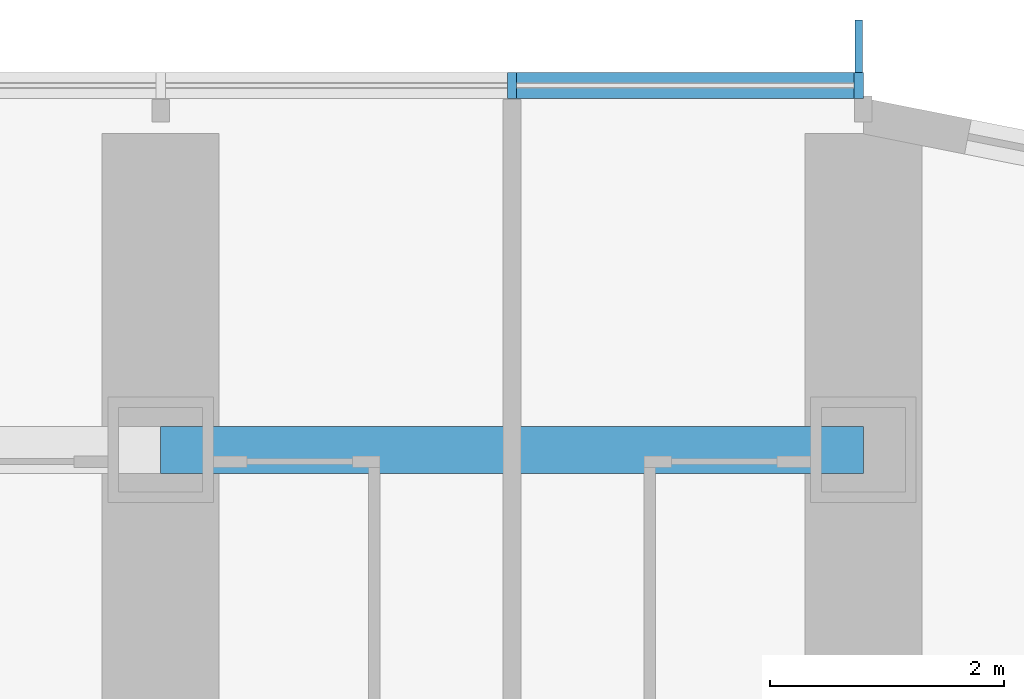
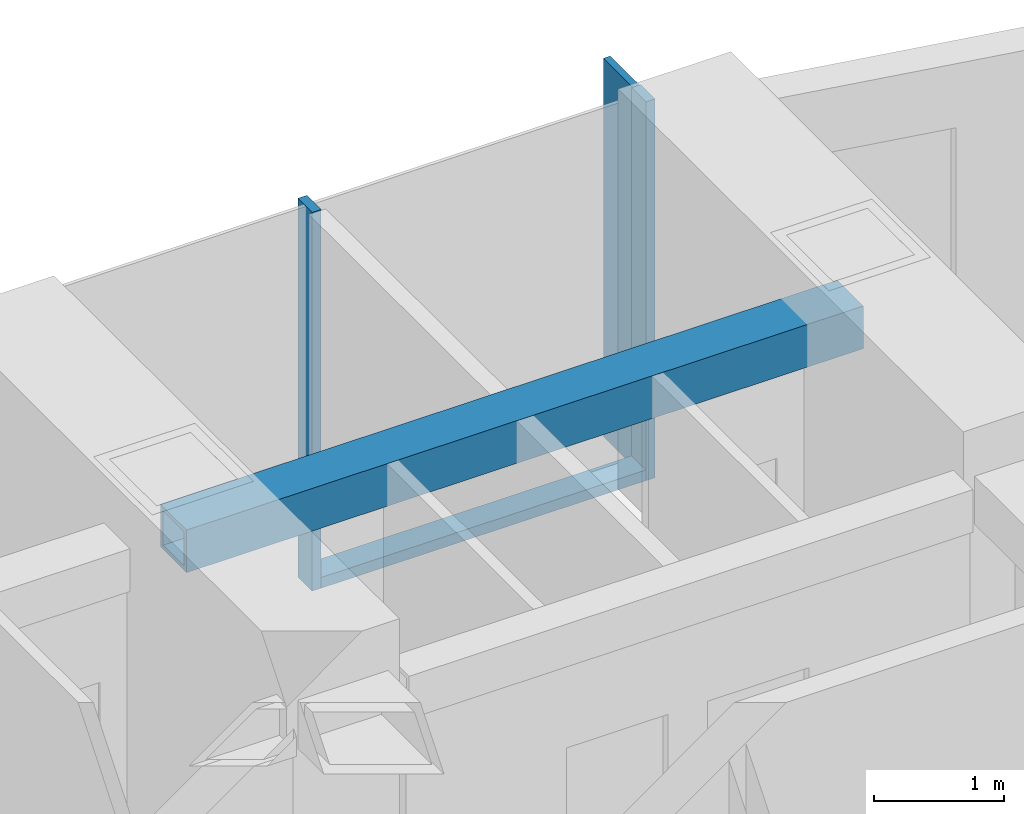
# One storey, part 7 of 24: 4 members, 1 beam, 1 element without a shape of its own.
"""IFC4 building model written with IfcOpenShell, lengths in metres."""

from ifc_helpers import new_model, si_unit, direction, frame, origin, origin_2d, place, context, subcontext, project, spatial, rectangle, hollow_rectangle, extrude, material, material_profile, profile_set, type_object, element, aggregate, save


model = new_model("IFC4")

# Units and contexts
model_context = context("Model", 3, precision=1e-05, world=origin(), true_north=direction((0.0, 1.0)))
body_context = subcontext(model_context, "Body", "Model", "MODEL_VIEW")
ifc_project = project(units=[si_unit("LENGTHUNIT", "METRE"), si_unit("AREAUNIT", "SQUARE_METRE"), si_unit("VOLUMEUNIT", "CUBIC_METRE"), si_unit("PLANEANGLEUNIT", "RADIAN"), si_unit("MASSUNIT", "GRAM", prefix="KILO")], contexts=[model_context])

# Site, building, storey
site_placement = place(None, origin())
site = spatial("IfcSite", under=ifc_project, at=site_placement, CompositionType="ELEMENT")
building_placement = place(site_placement, origin())
building = spatial("IfcBuilding", under=site, at=building_placement, Name="Orbita Commons", CompositionType="ELEMENT")
storey_placement = place(building_placement, frame((0.0, 0.0, 20.199951171875)))
storey = spatial("IfcBuildingStorey", under=building, at=storey_placement, Name="L04", CompositionType="ELEMENT", Elevation=20.199951171875)

# Curtain wall, members
ifc_material_1 = material(Name="Anodised aluminium frame, pale silver", Category="aluminium")
curtain_wall_type = type_object("IfcCurtainWallType", Name="Unitised curtain wall CW-T, vision and spandrel", PredefinedType="NOTDEFINED", material=ifc_material_1)
curtain_wall_placement = place(storey_placement, origin())
curtain_wall = element("IfcCurtainWall", 1, at=curtain_wall_placement, inside=storey, type_object=curtain_wall_type, Name="Curtain wall north L04", PredefinedType="NOTDEFINED")
ifc_material_2 = material(Name="Anodised aluminium, pale silver", Category="aluminium")
ifc_material_profile_1 = material_profile(ifc_material_2, rectangle(XDim=0.080078125, YDim=0.219970703125, at=origin_2d()), Name="AL 80x220")
ifc_profile_set_1 = profile_set([ifc_material_profile_1], Name="Anodised aluminium, pale silver")
member_type_1 = type_object("IfcMemberType", Name="Curtain wall mullion 80x220", PredefinedType="MULLION", material=ifc_profile_set_1)
member_1_placement = place(storey_placement, frame((71.9599609375, 56.7099609375, -0.25), z_axis=(0.0, 0.0, 1.0), x_axis=(-1.0, 0.0, 0.0)))
member_1 = element("IfcMember", 2, at=member_1_placement, type_object=member_type_1, Name="Mullion 1 CW-L04-N", PredefinedType="MULLION", context=body_context, shape_type="SweptSolid", body=[
    extrude(rectangle(XDim=0.080078125, YDim=0.219970703125, at=origin_2d()), origin(), (0.0, 0.0, 1.0), 3.550048828125),
])
member_2_placement = place(storey_placement, frame((69.0, 56.7099609375, -0.25), z_axis=(0.0, 0.0, 1.0), x_axis=(-1.0, 0.0, 0.0)))
member_2 = element("IfcMember", 3, at=member_2_placement, type_object=member_type_1, Name="Mullion 2 CW-L04-N", PredefinedType="MULLION", context=body_context, shape_type="SweptSolid", body=[
    extrude(rectangle(XDim=0.080078125, YDim=0.219970703125, at=origin_2d()), origin(), (0.0, 0.0, 1.0), 3.550048828125),
])
ifc_material_3 = material(Name="Anodised aluminium, pale silver", Category="aluminium")
ifc_material_profile_2 = material_profile(ifc_material_3, rectangle(XDim=0.219970703125, YDim=0.10009765625, at=origin_2d()), Name="AL 220x100")
ifc_profile_set_2 = profile_set([ifc_material_profile_2], Name="Anodised aluminium, pale silver")
member_type_2 = type_object("IfcMemberType", Name="Curtain wall stack transom 220x100", PredefinedType="USERDEFINED", material=ifc_profile_set_2)
member_3_placement = place(storey_placement, frame((71.919921875, 56.7099609375, -0.199951171875), z_axis=(-1.0, 0.0, 0.0), x_axis=(0.0, -1.0, 0.0)))
member_3 = element("IfcMember", 4, at=member_3_placement, type_object=member_type_2, Name="Transom 1.1 CW-L04-N", ObjectType="TRANSOM", PredefinedType="USERDEFINED", context=body_context, shape_type="SweptSolid", body=[
    extrude(rectangle(XDim=0.219970703125, YDim=0.10009765625, at=origin_2d()), origin(), (0.0, 0.0, 1.0), 2.8798828125),
])

# Beam
ifc_material_4 = material(Name="Steel ASTM A572 Gr 50 welded plate", Category="steel")
ifc_material_profile_3 = material_profile(ifc_material_4, hollow_rectangle(XDim=0.39990234375, YDim=0.39990234375, WallThickness=0.0400390625, at=origin_2d()), Name="BOX 400x400x40")
ifc_profile_set_3 = profile_set([ifc_material_profile_3], Name="Steel ASTM A572 Gr 50 welded plate")
beam_type = type_object("IfcBeamType", Name="Steel spandrel BOX 400x400x40", PredefinedType="SPANDREL", material=ifc_profile_set_3)
beam_placement = place(storey_placement, frame((66.0, 53.60009765625, 3.10009765625), z_axis=(1.0, 0.0, 0.0), x_axis=(0.0, 1.0, 0.0)))
element("IfcBeam", 5, at=beam_placement, inside=storey, type_object=beam_type, Name="Spandrel beam E 12-13 L04", PredefinedType="SPANDREL", context=body_context, shape_type="SweptSolid", body=[
    extrude(hollow_rectangle(XDim=0.39990234375, YDim=0.39990234375, WallThickness=0.0400390625, at=origin_2d()), origin(), (0.0, 0.0, 1.0), 6.0),
])

# Member
ifc_material_5 = material(Name="Anodised aluminium, pale silver", Category="aluminium")
ifc_material_profile_4 = material_profile(ifc_material_5, rectangle(XDim=0.06005859375, YDim=0.449951171875, at=origin_2d()), Name="FIN 60x450")
ifc_profile_set_4 = profile_set([ifc_material_profile_4], Name="Anodised aluminium, pale silver")
member_type_3 = type_object("IfcMemberType", Name="Vertical fin 60x450 pale aluminium", PredefinedType="USERDEFINED", material=ifc_profile_set_4)
member_4_placement = place(storey_placement, frame((71.9599609375, 57.044921875, -0.25), z_axis=(0.0, 0.0, 1.0), x_axis=(-1.0, 0.0, 0.0)))
member_4 = element("IfcMember", 6, at=member_4_placement, type_object=member_type_3, Name="Fin 1 CW-L04-N", ObjectType="FIN", PredefinedType="USERDEFINED", context=body_context, shape_type="SweptSolid", body=[
    extrude(rectangle(XDim=0.06005859375, YDim=0.449951171875, at=origin_2d()), origin(), (0.0, 0.0, 1.0), 3.550048828125),
])

aggregate(curtain_wall, [member_1, member_4, member_2, member_3])

save(model, "model.ifc")
